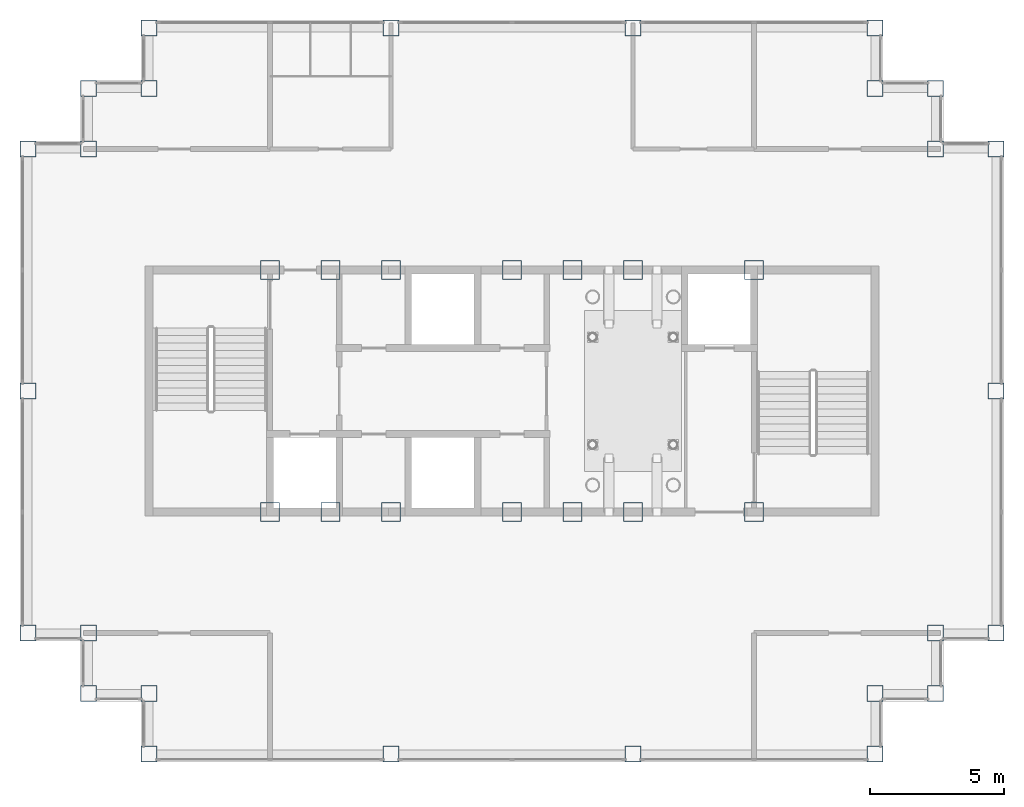
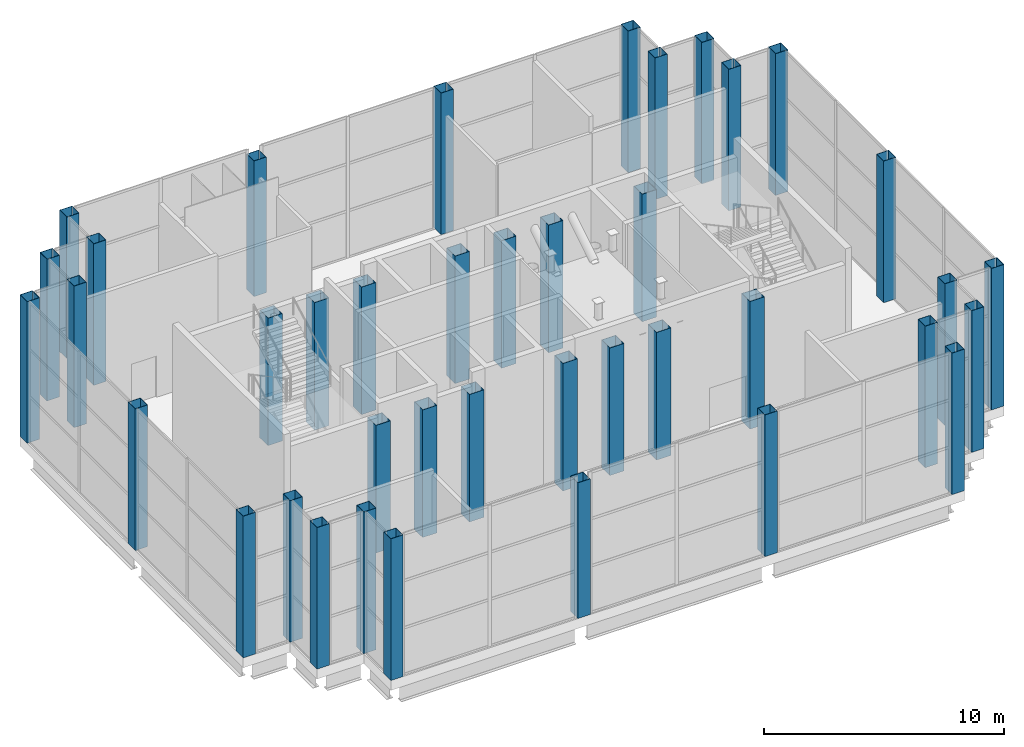
# One storey, part 1 of 15: 40 columns.
"""IFC4 building model written with IfcOpenShell, lengths in metres."""

from ifc_helpers import new_model, si_unit, direction, frame, origin, origin_2d, place, context, subcontext, project, spatial, hollow_rectangle, extrude, material, material_profile, profile_set, type_object, element, save


model = new_model("IFC4")

# Units and contexts
model_context = context("Model", 3, precision=1e-05, world=origin(), true_north=direction((0.0, 1.0)))
body_context = subcontext(model_context, "Body", "Model", "MODEL_VIEW")
ifc_project = project(units=[si_unit("LENGTHUNIT", "METRE"), si_unit("AREAUNIT", "SQUARE_METRE"), si_unit("VOLUMEUNIT", "CUBIC_METRE"), si_unit("PLANEANGLEUNIT", "RADIAN"), si_unit("MASSUNIT", "GRAM", prefix="KILO")], contexts=[model_context])

# Site, building, storey
site_placement = place(None, origin())
site = spatial("IfcSite", under=ifc_project, at=site_placement, CompositionType="ELEMENT")
building_placement = place(site_placement, origin())
building = spatial("IfcBuilding", under=site, at=building_placement, Name="Caravel Reach Hotel and Residences", CompositionType="ELEMENT")
storey_placement = place(building_placement, frame((0.0, 0.0, 305.60009765625)))
storey = spatial("IfcBuildingStorey", under=building, at=storey_placement, Name="L78", CompositionType="ELEMENT", Elevation=305.60009765625)

# Columns
ifc_material_1 = material(Name="Concrete-filled steel tube Q390B with Concrete C60 infill", Category="concrete")
ifc_material_profile_1 = material_profile(ifc_material_1, hollow_rectangle(XDim=0.60009765625, YDim=0.60009765625, WallThickness=0.02001953125, at=origin_2d()), Name="RHS 600x600x20")
ifc_profile_set_1 = profile_set([ifc_material_profile_1], Name="Concrete-filled steel tube Q390B with Concrete C60 infill")
column_type_1 = type_object("IfcColumnType", Name="CFT 600x600 Q390B C60", PredefinedType="COLUMN", material=ifc_profile_set_1)
for number, where, z_axis, x_axis, name in (
    (1, (45.0, 13.5, 0.0), (0.0, 0.0, 1.0), (1.0, 0.0, 0.0), "C8 column"),
    (2, (45.0, 15.75, 0.0), (0.0, 0.0, 1.0), (1.0, 0.0, 0.0), "C8 column"),
    (3, (47.25, 15.75, 0.0), (0.0, 0.0, 1.0), (1.0, 0.0, 0.0), "C8 column"),
    (4, (47.25, 18.0, 0.0), (0.0, 0.0, 1.0), (1.0, 0.0, 0.0), "C8 column"),
    (5, (49.5, 18.0, 0.0), (0.0, 0.0, 1.0), (1.0, 0.0, 0.0), "C8 column"),
    (6, (49.5, 27.0, 0.0), (0.0, 0.0, 1.0), (1.0, 0.0, 0.0), "C8 column"),
    (7, (49.5, 36.0, 0.0), (0.0, 0.0, 1.0), (1.0, 0.0, 0.0), "C8 column"),
    (8, (47.25, 36.0, 0.0), (0.0, 0.0, 1.0), (1.0, 0.0, 0.0), "C8 column"),
    (9, (47.25, 38.25, 0.0), (0.0, 0.0, 1.0), (1.0, 0.0, 0.0), "C8 column"),
    (10, (45.0, 38.25, 0.0), (0.0, 0.0, 1.0), (1.0, 0.0, 0.0), "C8 column"),
    (11, (45.0, 40.5, 0.0), (0.0, 0.0, 1.0), (1.0, 0.0, 0.0), "C8 column"),
    (12, (36.0, 40.5, 0.0), (0.0, 0.0, 1.0), (1.0, 0.0, 0.0), "C8 column"),
):
    element("IfcColumn", number, at=place(storey_placement, frame(where, z_axis=z_axis, x_axis=x_axis)), inside=storey, type_object=column_type_1, Name=name, PredefinedType="COLUMN", context=body_context, shape_type="SweptSolid", body=[
        extrude(hollow_rectangle(XDim=0.60009765625, YDim=0.60009765625, WallThickness=0.02001953125, at=origin_2d()), origin(), (0.0, 0.0, 1.0), 7.199951171875),
    ])
column_1_placement = place(storey_placement, frame((27.0, 40.5, 0.0), z_axis=(0.0, 0.0, 1.0), x_axis=(1.0, 0.0, 0.0)))
element("IfcColumn", 13, at=column_1_placement, inside=storey, type_object=column_type_1, Name="C8 column", PredefinedType="COLUMN", context=body_context, shape_type="SweptSolid", body=[
    extrude(hollow_rectangle(XDim=0.60009765625, YDim=0.60009765625, WallThickness=0.02001953125, at=origin_2d()), origin(), (0.0, 0.0, 1.0), 6.89990234375),
])
for number, where, z_axis, x_axis, name in (
    (14, (18.0, 40.5, 0.0), (0.0, 0.0, 1.0), (1.0, 0.0, 0.0), "C8 column"),
    (15, (18.0, 38.25, 0.0), (0.0, 0.0, 1.0), (1.0, 0.0, 0.0), "C8 column"),
    (16, (15.75, 38.25, 0.0), (0.0, 0.0, 1.0), (1.0, 0.0, 0.0), "C8 column"),
    (17, (15.75, 36.0, 0.0), (0.0, 0.0, 1.0), (1.0, 0.0, 0.0), "C8 column"),
    (18, (13.5, 36.0, 0.0), (0.0, 0.0, 1.0), (1.0, 0.0, 0.0), "C8 column"),
    (19, (13.5, 27.0, 0.0), (0.0, 0.0, 1.0), (1.0, 0.0, 0.0), "C8 column"),
    (20, (13.5, 18.0, 0.0), (0.0, 0.0, 1.0), (1.0, 0.0, 0.0), "C8 column"),
    (21, (15.75, 18.0, 0.0), (0.0, 0.0, 1.0), (1.0, 0.0, 0.0), "C8 column"),
    (22, (15.75, 15.75, 0.0), (0.0, 0.0, 1.0), (1.0, 0.0, 0.0), "C8 column"),
    (23, (18.0, 15.75, 0.0), (0.0, 0.0, 1.0), (1.0, 0.0, 0.0), "C8 column"),
    (24, (18.0, 13.5, 0.0), (0.0, 0.0, 1.0), (1.0, 0.0, 0.0), "C8 column"),
):
    element("IfcColumn", number, at=place(storey_placement, frame(where, z_axis=z_axis, x_axis=x_axis)), inside=storey, type_object=column_type_1, Name=name, PredefinedType="COLUMN", context=body_context, shape_type="SweptSolid", body=[
        extrude(hollow_rectangle(XDim=0.60009765625, YDim=0.60009765625, WallThickness=0.02001953125, at=origin_2d()), origin(), (0.0, 0.0, 1.0), 7.199951171875),
    ])
column_2_placement = place(storey_placement, frame((27.0, 13.5, 0.0), z_axis=(0.0, 0.0, 1.0), x_axis=(1.0, 0.0, 0.0)))
element("IfcColumn", 25, at=column_2_placement, inside=storey, type_object=column_type_1, Name="C8 column", PredefinedType="COLUMN", context=body_context, shape_type="SweptSolid", body=[
    extrude(hollow_rectangle(XDim=0.60009765625, YDim=0.60009765625, WallThickness=0.02001953125, at=origin_2d()), origin(), (0.0, 0.0, 1.0), 6.89990234375),
])
column_3_placement = place(storey_placement, frame((36.0, 13.5, 0.0), z_axis=(0.0, 0.0, 1.0), x_axis=(1.0, 0.0, 0.0)))
element("IfcColumn", 26, at=column_3_placement, inside=storey, type_object=column_type_1, Name="C8 column", PredefinedType="COLUMN", context=body_context, shape_type="SweptSolid", body=[
    extrude(hollow_rectangle(XDim=0.60009765625, YDim=0.60009765625, WallThickness=0.02001953125, at=origin_2d()), origin(), (0.0, 0.0, 1.0), 7.199951171875),
])
ifc_material_2 = material(Name="Concrete-filled steel tube Q390B with Concrete C70 infill", Category="concrete")
ifc_material_profile_2 = material_profile(ifc_material_2, hollow_rectangle(XDim=0.699951171875, YDim=0.699951171875, WallThickness=0.02197265625, at=origin_2d()), Name="RHS 700x700x22")
ifc_profile_set_2 = profile_set([ifc_material_profile_2], Name="Concrete-filled steel tube Q390B with Concrete C70 infill")
column_type_2 = type_object("IfcColumnType", Name="CFT 700x700 Q390B C70", PredefinedType="COLUMN", material=ifc_profile_set_2)
for number, where, z_axis, x_axis, name in (
    (27, (22.5, 22.5, -0.5), (0.0, 0.0, 1.0), (1.0, 0.0, 0.0), "C6 transfer column"),
    (28, (22.5, 31.5, -0.5), (0.0, 0.0, 1.0), (1.0, 0.0, 0.0), "C6 transfer column"),
    (29, (24.75, 22.5, -0.5), (0.0, 0.0, 1.0), (1.0, 0.0, 0.0), "C6 transfer column"),
    (30, (24.75, 31.5, -0.5), (0.0, 0.0, 1.0), (1.0, 0.0, 0.0), "C6 transfer column"),
    (31, (27.0, 22.5, -0.5), (0.0, 0.0, 1.0), (1.0, 0.0, 0.0), "C6 transfer column"),
    (32, (27.0, 31.5, -0.5), (0.0, 0.0, 1.0), (1.0, 0.0, 0.0), "C6 transfer column"),
    (33, (31.5, 22.5, -0.5), (0.0, 0.0, 1.0), (1.0, 0.0, 0.0), "C6 transfer column"),
    (34, (31.5, 31.5, -0.5), (0.0, 0.0, 1.0), (1.0, 0.0, 0.0), "C6 transfer column"),
    (35, (33.75, 22.5, -0.5), (0.0, 0.0, 1.0), (1.0, 0.0, 0.0), "C6 transfer column"),
    (36, (33.75, 31.5, -0.5), (0.0, 0.0, 1.0), (1.0, 0.0, 0.0), "C6 transfer column"),
    (37, (36.0, 22.5, -0.5), (0.0, 0.0, 1.0), (1.0, 0.0, 0.0), "C6 transfer column"),
    (38, (36.0, 31.5, -0.5), (0.0, 0.0, 1.0), (1.0, 0.0, 0.0), "C6 transfer column"),
    (39, (40.5, 22.5, -0.5), (0.0, 0.0, 1.0), (1.0, 0.0, 0.0), "C6 transfer column"),
    (40, (40.5, 31.5, -0.5), (0.0, 0.0, 1.0), (1.0, 0.0, 0.0), "C6 transfer column"),
):
    element("IfcColumn", number, at=place(storey_placement, frame(where, z_axis=z_axis, x_axis=x_axis)), inside=storey, type_object=column_type_2, Name=name, PredefinedType="COLUMN", context=body_context, shape_type="SweptSolid", body=[
        extrude(hollow_rectangle(XDim=0.699951171875, YDim=0.699951171875, WallThickness=0.02197265625, at=origin_2d()), origin(), (0.0, 0.0, 1.0), 6.48779296875),
    ])

save(model, "model.ifc")
